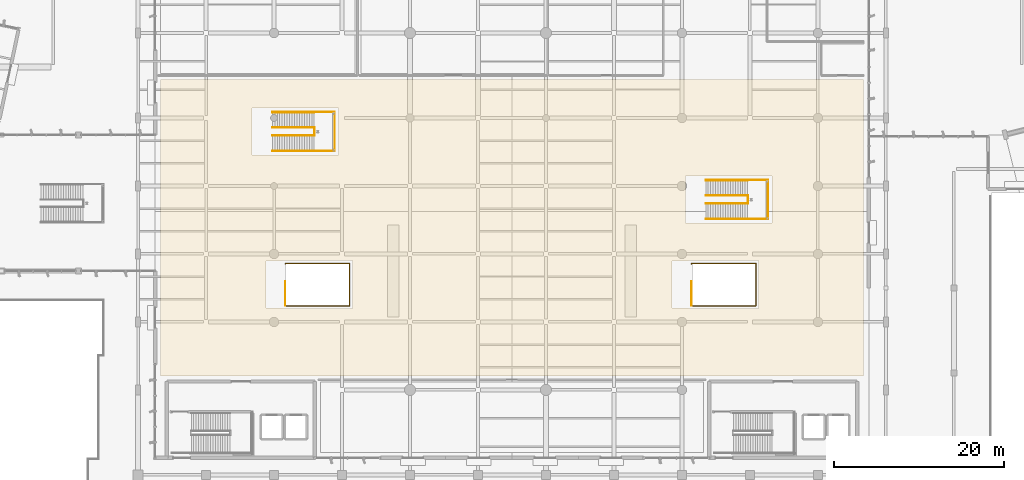
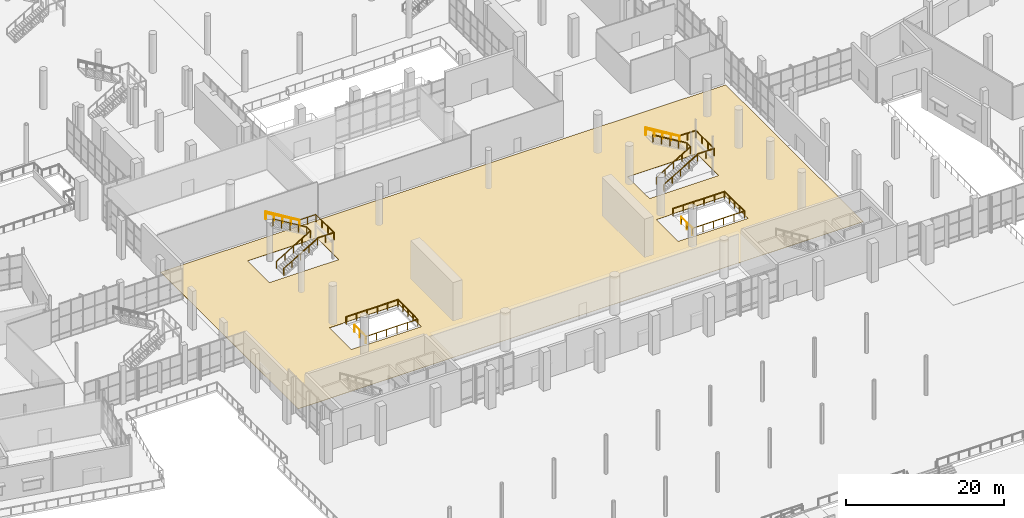
# One storey, part 152 of 163: 16 railings, 1 covering, 2 elements without a shape of their own.
"""IFC4 building model written with IfcOpenShell, lengths in metres."""

from ifc_helpers import new_model, si_unit, direction, frame, origin, origin_2d, place, context, subcontext, project, spatial, polyline, rectangle, outline, extrude, material, layer, layer_set, type_object, element, aggregate, save


model = new_model("IFC4")

# Units and contexts
model_context = context("Model", 3, precision=1e-05, world=origin(), true_north=direction((0.0, 1.0)))
body_context = subcontext(model_context, "Body", "Model", "MODEL_VIEW")
ifc_project = project(units=[si_unit("LENGTHUNIT", "METRE"), si_unit("AREAUNIT", "SQUARE_METRE"), si_unit("VOLUMEUNIT", "CUBIC_METRE"), si_unit("PLANEANGLEUNIT", "RADIAN"), si_unit("MASSUNIT", "GRAM", prefix="KILO")], contexts=[model_context])

# Site, building, storey
site_placement = place(None, origin())
site = spatial("IfcSite", under=ifc_project, at=site_placement, CompositionType="ELEMENT")
building_placement = place(site_placement, origin())
building = spatial("IfcBuilding", under=site, at=building_placement, Name="Khorjan Park Terminus", CompositionType="ELEMENT")
storey_placement = place(building_placement, origin())
storey = spatial("IfcBuildingStorey", under=building, at=storey_placement, Name="L00", CompositionType="ELEMENT", Elevation=0.0)

# Covering
ifc_material_1 = material(Name="Flamed Granite Transit Paving", Category="masonry")
ifc_layer = layer(ifc_material_1, 0.04)
ifc_layer_set = layer_set([ifc_layer], Name="Flamed Granite Transit Paving")
covering_type = type_object("IfcCoveringType", Name="CV-FLR-GRN", PredefinedType="FLOORING", material=ifc_layer_set)
covering_placement = place(storey_placement, origin())
element("IfcCovering", 1, at=covering_placement, inside=storey, type_object=covering_type, Name="Architectural floor finish FF-GRN (L00-HALL)", PredefinedType="FLOORING", context=body_context, shape_type="SweptSolid", body=[
    extrude(outline(polyline([(133.35, 72.55), (133.35, 37.65), (50.65, 37.65), (50.65, 72.55), (133.35, 72.55)]), holes=[polyline([(112.43, 55.63), (122.57, 55.63), (122.57, 61.17), (112.43, 61.17), (112.43, 55.63)]), polyline([(121.03, 45.57), (121.03, 51.23), (112.785, 51.23), (112.785, 51.17), (110.83, 51.17), (110.83, 45.63), (112.785, 45.63), (112.785, 45.57), (121.03, 45.57)]), polyline([(73.23, 45.57), (73.23, 51.23), (64.985, 51.23), (64.985, 51.17), (63.03, 51.17), (63.03, 45.63), (64.985, 45.63), (64.985, 45.57), (73.23, 45.57)]), polyline([(71.57, 63.63), (71.57, 69.17), (61.43, 69.17), (61.43, 63.63), (71.57, 63.63)])]), origin(), (0.0, 0.0, 1.0), 0.04),
])

# Railings
ifc_material_2 = material(Name="Steel S355", Category="steel")
railing_type_1 = type_object("IfcRailingType", Name="GR-112", PredefinedType="GUARDRAIL", material=ifc_material_2)
for number, where, name in (
    (2, (65.32, 45.95, 0.0), "Stair CS-01 top-floor well departure guard GR-112"),
    (3, (113.12, 45.95, 0.0), "Stair CS-02 top-floor well departure guard GR-112"),
):
    element("IfcRailing", number, at=place(storey_placement, frame(where)), inside=storey, type_object=railing_type_1, Name=name, PredefinedType="GUARDRAIL", context=body_context, shape_type="SweptSolid", body=[
        extrude(rectangle(XDim=0.048, YDim=0.048, at=origin_2d()), frame((0.0, 0.0, 1.096), z_axis=(0.0, 1.0, 0.0), x_axis=(-1.0, 0.0, 0.0)), (0.0, 0.0, 1.0), 2.83),
        extrude(rectangle(XDim=0.042, YDim=0.042, at=origin_2d()), origin(), (0.0, 0.0, 1.0), 1.072),
        extrude(rectangle(XDim=0.042, YDim=0.042, at=origin_2d()), frame((0.0, 1.415, 0.0)), (0.0, 0.0, 1.0), 1.072),
        extrude(rectangle(XDim=0.042, YDim=0.042, at=origin_2d()), frame((0.0, 2.83, 0.0)), (0.0, 0.0, 1.0), 1.072),
    ])

# Stair, railings
ifc_material_3 = material(Name="Concrete C40/50", Category="concrete")
stair_type = type_object("IfcStairType", Name="STR-PUB-190", PredefinedType="HALF_TURN_STAIR", material=ifc_material_3)
stair_1_placement = place(storey_placement, origin())
stair_1 = element("IfcStair", 4, at=stair_1_placement, inside=storey, type_object=stair_type, Name="Public passenger half-turn stair CS-03", PredefinedType="HALF_TURN_STAIR")
railing_1_placement = place(storey_placement, frame((63.8, 65.92, 0.0)))
railing_1 = element("IfcRailing", 5, at=railing_1_placement, type_object=railing_type_1, Name="Stair CS-03 inner well slot guard GR-112", PredefinedType="GUARDRAIL", context=body_context, shape_type="SweptSolid", body=[
    extrude(rectangle(XDim=0.048, YDim=0.048, at=origin_2d()), frame((0.0, 0.0, 1.096), z_axis=(0.856121964148, 0.0, 0.516773821418), x_axis=(0.0, 1.0, 0.0)), (0.0, 0.0, 1.0), 5.8052),
    extrude(rectangle(XDim=0.048, YDim=0.048, at=origin_2d()), frame((4.97, 0.0, 4.096), z_axis=(0.0, 1.0, 0.0), x_axis=(-1.0, 0.0, 0.0)), (0.0, 0.0, 1.0), 0.96),
    extrude(rectangle(XDim=0.048, YDim=0.048, at=origin_2d()), frame((4.97, 0.96, 4.096), z_axis=(-0.856121964148, 0.0, 0.516773821418), x_axis=(0.0, -1.0, 0.0)), (0.0, 0.0, 1.0), 5.8052),
    extrude(rectangle(XDim=0.042, YDim=0.042, at=origin_2d()), origin(), (0.0, 0.0, 1.0), 1.072),
    extrude(rectangle(XDim=0.042, YDim=0.042, at=origin_2d()), frame((1.2425, 0.0, 0.75)), (0.0, 0.0, 1.0), 1.072),
    extrude(rectangle(XDim=0.042, YDim=0.042, at=origin_2d()), frame((2.485, 0.0, 1.5)), (0.0, 0.0, 1.0), 1.072),
    extrude(rectangle(XDim=0.042, YDim=0.042, at=origin_2d()), frame((3.7275, 0.0, 2.25)), (0.0, 0.0, 1.0), 1.072),
    extrude(rectangle(XDim=0.042, YDim=0.042, at=origin_2d()), frame((4.97, 0.0, 3.0)), (0.0, 0.0, 1.0), 1.072),
    extrude(rectangle(XDim=0.042, YDim=0.042, at=origin_2d()), frame((4.97, 0.96, 3.0)), (0.0, 0.0, 1.0), 1.072),
    extrude(rectangle(XDim=0.042, YDim=0.042, at=origin_2d()), frame((3.7275, 0.96, 3.75)), (0.0, 0.0, 1.0), 1.072),
    extrude(rectangle(XDim=0.042, YDim=0.042, at=origin_2d()), frame((2.485, 0.96, 4.5)), (0.0, 0.0, 1.0), 1.072),
    extrude(rectangle(XDim=0.042, YDim=0.042, at=origin_2d()), frame((1.2425, 0.96, 5.25)), (0.0, 0.0, 1.0), 1.072),
    extrude(rectangle(XDim=0.042, YDim=0.042, at=origin_2d()), frame((0.0, 0.96, 6.0)), (0.0, 0.0, 1.0), 1.072),
])
railing_2_placement = place(storey_placement, frame((68.73, 64.1, 3.0)))
railing_2 = element("IfcRailing", 6, at=railing_2_placement, type_object=railing_type_1, Name="Stair CS-03 horizontal half-landing guard GR-112", PredefinedType="GUARDRAIL", context=body_context, shape_type="SweptSolid", body=[
    extrude(rectangle(XDim=0.048, YDim=0.048, at=origin_2d()), frame((0.0, 0.0, 1.096), z_axis=(1.0, 0.0, 0.0), x_axis=(0.0, 1.0, 0.0)), (0.0, 0.0, 1.0), 2.41),
    extrude(rectangle(XDim=0.048, YDim=0.048, at=origin_2d()), frame((2.41, 0.0, 1.096), z_axis=(0.0, 1.0, 0.0), x_axis=(-1.0, 0.0, 0.0)), (0.0, 0.0, 1.0), 4.6),
    extrude(rectangle(XDim=0.048, YDim=0.048, at=origin_2d()), frame((2.41, 4.6, 1.096), z_axis=(-1.0, 0.0, 0.0), x_axis=(0.0, -1.0, 0.0)), (0.0, 0.0, 1.0), 2.41),
    extrude(rectangle(XDim=0.042, YDim=0.042, at=origin_2d()), origin(), (0.0, 0.0, 1.0), 1.072),
    extrude(rectangle(XDim=0.042, YDim=0.042, at=origin_2d()), frame((1.205, 0.0, 0.0)), (0.0, 0.0, 1.0), 1.072),
    extrude(rectangle(XDim=0.042, YDim=0.042, at=origin_2d()), frame((2.41, 0.0, 0.0)), (0.0, 0.0, 1.0), 1.072),
    extrude(rectangle(XDim=0.042, YDim=0.042, at=origin_2d()), frame((2.41, 1.5333, 0.0)), (0.0, 0.0, 1.0), 1.072),
    extrude(rectangle(XDim=0.042, YDim=0.042, at=origin_2d()), frame((2.41, 3.0667, 0.0)), (0.0, 0.0, 1.0), 1.072),
    extrude(rectangle(XDim=0.042, YDim=0.042, at=origin_2d()), frame((2.41, 4.6, 0.0)), (0.0, 0.0, 1.0), 1.072),
    extrude(rectangle(XDim=0.042, YDim=0.042, at=origin_2d()), frame((1.205, 4.6, 0.0)), (0.0, 0.0, 1.0), 1.072),
    extrude(rectangle(XDim=0.042, YDim=0.042, at=origin_2d()), frame((0.0, 4.6, 0.0)), (0.0, 0.0, 1.0), 1.072),
])
railing_3_placement = place(storey_placement, frame((63.8, 64.1, 0.0)))
railing_3 = element("IfcRailing", 7, at=railing_3_placement, type_object=railing_type_1, Name="Stair CS-03 lower outer flight guard GR-112", PredefinedType="GUARDRAIL", context=body_context, shape_type="SweptSolid", body=[
    extrude(rectangle(XDim=0.048, YDim=0.048, at=origin_2d()), frame((0.0, 0.0, 1.096), z_axis=(0.854265470084, 0.0, 0.519837000051), x_axis=(0.0, 1.0, 0.0)), (0.0, 0.0, 1.0), 5.771),
    extrude(rectangle(XDim=0.042, YDim=0.042, at=origin_2d()), origin(), (0.0, 0.0, 1.0), 1.072),
    extrude(rectangle(XDim=0.042, YDim=0.042, at=origin_2d()), frame((1.2325, 0.0, 0.75)), (0.0, 0.0, 1.0), 1.072),
    extrude(rectangle(XDim=0.042, YDim=0.042, at=origin_2d()), frame((2.465, 0.0, 1.5)), (0.0, 0.0, 1.0), 1.072),
    extrude(rectangle(XDim=0.042, YDim=0.042, at=origin_2d()), frame((3.6975, 0.0, 2.25)), (0.0, 0.0, 1.0), 1.072),
    extrude(rectangle(XDim=0.042, YDim=0.042, at=origin_2d()), frame((4.93, 0.0, 3.0)), (0.0, 0.0, 1.0), 1.072),
])
railing_4_placement = place(storey_placement, frame((68.73, 68.7, 3.0)))
railing_4 = element("IfcRailing", 8, at=railing_4_placement, type_object=railing_type_1, Name="Stair CS-03 upper outer flight guard GR-112", PredefinedType="GUARDRAIL", context=body_context, shape_type="SweptSolid", body=[
    extrude(rectangle(XDim=0.048, YDim=0.048, at=origin_2d()), frame((0.0, 0.0, 1.096), z_axis=(-0.854265470084, 0.0, 0.519837000051), x_axis=(0.0, -1.0, 0.0)), (0.0, 0.0, 1.0), 5.771),
    extrude(rectangle(XDim=0.042, YDim=0.042, at=origin_2d()), origin(), (0.0, 0.0, 1.0), 1.072),
    extrude(rectangle(XDim=0.042, YDim=0.042, at=origin_2d()), frame((-1.2325, 0.0, 0.75)), (0.0, 0.0, 1.0), 1.072),
    extrude(rectangle(XDim=0.042, YDim=0.042, at=origin_2d()), frame((-2.465, 0.0, 1.5)), (0.0, 0.0, 1.0), 1.072),
    extrude(rectangle(XDim=0.042, YDim=0.042, at=origin_2d()), frame((-3.6975, 0.0, 2.25)), (0.0, 0.0, 1.0), 1.072),
    extrude(rectangle(XDim=0.042, YDim=0.042, at=origin_2d()), frame((-4.93, 0.0, 3.0)), (0.0, 0.0, 1.0), 1.072),
])

stair_2_placement = place(storey_placement, origin())
stair_2 = element("IfcStair", 9, at=stair_2_placement, inside=storey, type_object=stair_type, Name="Public passenger half-turn stair CS-04", PredefinedType="HALF_TURN_STAIR")
railing_5_placement = place(storey_placement, frame((114.8, 57.92, 0.0)))
railing_5 = element("IfcRailing", 10, at=railing_5_placement, type_object=railing_type_1, Name="Stair CS-04 inner well slot guard GR-112", PredefinedType="GUARDRAIL", context=body_context, shape_type="SweptSolid", body=[
    extrude(rectangle(XDim=0.048, YDim=0.048, at=origin_2d()), frame((0.0, 0.0, 1.096), z_axis=(0.856121964148, 0.0, 0.516773821418), x_axis=(0.0, 1.0, 0.0)), (0.0, 0.0, 1.0), 5.8052),
    extrude(rectangle(XDim=0.048, YDim=0.048, at=origin_2d()), frame((4.97, 0.0, 4.096), z_axis=(0.0, 1.0, 0.0), x_axis=(-1.0, 0.0, 0.0)), (0.0, 0.0, 1.0), 0.96),
    extrude(rectangle(XDim=0.048, YDim=0.048, at=origin_2d()), frame((4.97, 0.96, 4.096), z_axis=(-0.856121964148, 0.0, 0.516773821418), x_axis=(0.0, -1.0, 0.0)), (0.0, 0.0, 1.0), 5.8052),
    extrude(rectangle(XDim=0.042, YDim=0.042, at=origin_2d()), origin(), (0.0, 0.0, 1.0), 1.072),
    extrude(rectangle(XDim=0.042, YDim=0.042, at=origin_2d()), frame((1.2425, 0.0, 0.75)), (0.0, 0.0, 1.0), 1.072),
    extrude(rectangle(XDim=0.042, YDim=0.042, at=origin_2d()), frame((2.485, 0.0, 1.5)), (0.0, 0.0, 1.0), 1.072),
    extrude(rectangle(XDim=0.042, YDim=0.042, at=origin_2d()), frame((3.7275, 0.0, 2.25)), (0.0, 0.0, 1.0), 1.072),
    extrude(rectangle(XDim=0.042, YDim=0.042, at=origin_2d()), frame((4.97, 0.0, 3.0)), (0.0, 0.0, 1.0), 1.072),
    extrude(rectangle(XDim=0.042, YDim=0.042, at=origin_2d()), frame((4.97, 0.96, 3.0)), (0.0, 0.0, 1.0), 1.072),
    extrude(rectangle(XDim=0.042, YDim=0.042, at=origin_2d()), frame((3.7275, 0.96, 3.75)), (0.0, 0.0, 1.0), 1.072),
    extrude(rectangle(XDim=0.042, YDim=0.042, at=origin_2d()), frame((2.485, 0.96, 4.5)), (0.0, 0.0, 1.0), 1.072),
    extrude(rectangle(XDim=0.042, YDim=0.042, at=origin_2d()), frame((1.2425, 0.96, 5.25)), (0.0, 0.0, 1.0), 1.072),
    extrude(rectangle(XDim=0.042, YDim=0.042, at=origin_2d()), frame((0.0, 0.96, 6.0)), (0.0, 0.0, 1.0), 1.072),
])
railing_6_placement = place(storey_placement, frame((119.73, 56.1, 3.0)))
railing_6 = element("IfcRailing", 11, at=railing_6_placement, type_object=railing_type_1, Name="Stair CS-04 horizontal half-landing guard GR-112", PredefinedType="GUARDRAIL", context=body_context, shape_type="SweptSolid", body=[
    extrude(rectangle(XDim=0.048, YDim=0.048, at=origin_2d()), frame((0.0, 0.0, 1.096), z_axis=(1.0, 0.0, 0.0), x_axis=(0.0, 1.0, 0.0)), (0.0, 0.0, 1.0), 2.41),
    extrude(rectangle(XDim=0.048, YDim=0.048, at=origin_2d()), frame((2.41, 0.0, 1.096), z_axis=(0.0, 1.0, 0.0), x_axis=(-1.0, 0.0, 0.0)), (0.0, 0.0, 1.0), 4.6),
    extrude(rectangle(XDim=0.048, YDim=0.048, at=origin_2d()), frame((2.41, 4.6, 1.096), z_axis=(-1.0, 0.0, 0.0), x_axis=(0.0, -1.0, 0.0)), (0.0, 0.0, 1.0), 2.41),
    extrude(rectangle(XDim=0.042, YDim=0.042, at=origin_2d()), origin(), (0.0, 0.0, 1.0), 1.072),
    extrude(rectangle(XDim=0.042, YDim=0.042, at=origin_2d()), frame((1.205, 0.0, 0.0)), (0.0, 0.0, 1.0), 1.072),
    extrude(rectangle(XDim=0.042, YDim=0.042, at=origin_2d()), frame((2.41, 0.0, 0.0)), (0.0, 0.0, 1.0), 1.072),
    extrude(rectangle(XDim=0.042, YDim=0.042, at=origin_2d()), frame((2.41, 1.5333, 0.0)), (0.0, 0.0, 1.0), 1.072),
    extrude(rectangle(XDim=0.042, YDim=0.042, at=origin_2d()), frame((2.41, 3.0667, 0.0)), (0.0, 0.0, 1.0), 1.072),
    extrude(rectangle(XDim=0.042, YDim=0.042, at=origin_2d()), frame((2.41, 4.6, 0.0)), (0.0, 0.0, 1.0), 1.072),
    extrude(rectangle(XDim=0.042, YDim=0.042, at=origin_2d()), frame((1.205, 4.6, 0.0)), (0.0, 0.0, 1.0), 1.072),
    extrude(rectangle(XDim=0.042, YDim=0.042, at=origin_2d()), frame((0.0, 4.6, 0.0)), (0.0, 0.0, 1.0), 1.072),
])
railing_7_placement = place(storey_placement, frame((114.8, 56.1, 0.0)))
railing_7 = element("IfcRailing", 12, at=railing_7_placement, type_object=railing_type_1, Name="Stair CS-04 lower outer flight guard GR-112", PredefinedType="GUARDRAIL", context=body_context, shape_type="SweptSolid", body=[
    extrude(rectangle(XDim=0.048, YDim=0.048, at=origin_2d()), frame((0.0, 0.0, 1.096), z_axis=(0.854265470084, 0.0, 0.519837000051), x_axis=(0.0, 1.0, 0.0)), (0.0, 0.0, 1.0), 5.771),
    extrude(rectangle(XDim=0.042, YDim=0.042, at=origin_2d()), origin(), (0.0, 0.0, 1.0), 1.072),
    extrude(rectangle(XDim=0.042, YDim=0.042, at=origin_2d()), frame((1.2325, 0.0, 0.75)), (0.0, 0.0, 1.0), 1.072),
    extrude(rectangle(XDim=0.042, YDim=0.042, at=origin_2d()), frame((2.465, 0.0, 1.5)), (0.0, 0.0, 1.0), 1.072),
    extrude(rectangle(XDim=0.042, YDim=0.042, at=origin_2d()), frame((3.6975, 0.0, 2.25)), (0.0, 0.0, 1.0), 1.072),
    extrude(rectangle(XDim=0.042, YDim=0.042, at=origin_2d()), frame((4.93, 0.0, 3.0)), (0.0, 0.0, 1.0), 1.072),
])
railing_8_placement = place(storey_placement, frame((119.73, 60.7, 3.0)))
railing_8 = element("IfcRailing", 13, at=railing_8_placement, type_object=railing_type_1, Name="Stair CS-04 upper outer flight guard GR-112", PredefinedType="GUARDRAIL", context=body_context, shape_type="SweptSolid", body=[
    extrude(rectangle(XDim=0.048, YDim=0.048, at=origin_2d()), frame((0.0, 0.0, 1.096), z_axis=(-0.854265470084, 0.0, 0.519837000051), x_axis=(0.0, -1.0, 0.0)), (0.0, 0.0, 1.0), 5.771),
    extrude(rectangle(XDim=0.042, YDim=0.042, at=origin_2d()), origin(), (0.0, 0.0, 1.0), 1.072),
    extrude(rectangle(XDim=0.042, YDim=0.042, at=origin_2d()), frame((-1.2325, 0.0, 0.75)), (0.0, 0.0, 1.0), 1.072),
    extrude(rectangle(XDim=0.042, YDim=0.042, at=origin_2d()), frame((-2.465, 0.0, 1.5)), (0.0, 0.0, 1.0), 1.072),
    extrude(rectangle(XDim=0.042, YDim=0.042, at=origin_2d()), frame((-3.6975, 0.0, 2.25)), (0.0, 0.0, 1.0), 1.072),
    extrude(rectangle(XDim=0.042, YDim=0.042, at=origin_2d()), frame((-4.93, 0.0, 3.0)), (0.0, 0.0, 1.0), 1.072),
])

# Railings
ifc_material_4 = material(Name="Anodized Bronze Aluminium & Laminated Glass", Category="aluminium")
railing_type_2 = type_object("IfcRailingType", Name="GR-BAL", PredefinedType="BALUSTRADE", material=ifc_material_4)
railing_9_placement = place(storey_placement, frame((113.115, 48.74, 0.0)))
element("IfcRailing", 14, at=railing_9_placement, inside=storey, type_object=railing_type_2, Name="Perimeter safety guard GB-112 (L00-12)", PredefinedType="BALUSTRADE", context=body_context, shape_type="SweptSolid", body=[
    extrude(rectangle(XDim=0.048, YDim=0.048, at=origin_2d()), frame((0.0, 0.0, 1.096), z_axis=(0.0, -1.0, 0.0), x_axis=(1.0, 0.0, 0.0)), (0.0, 0.0, 1.0), 2.84),
    extrude(rectangle(XDim=0.048, YDim=0.048, at=origin_2d()), frame((0.0, -2.84, 1.096), z_axis=(1.0, 0.0, 0.0), x_axis=(0.0, 1.0, 0.0)), (0.0, 0.0, 1.0), 7.585),
    extrude(rectangle(XDim=0.048, YDim=0.048, at=origin_2d()), frame((7.585, -2.84, 1.096), z_axis=(0.0, 1.0, 0.0), x_axis=(-1.0, 0.0, 0.0)), (0.0, 0.0, 1.0), 5.0),
    extrude(rectangle(XDim=0.048, YDim=0.048, at=origin_2d()), frame((7.585, 2.16, 1.096), z_axis=(-1.0, 0.0, 0.0), x_axis=(0.0, -1.0, 0.0)), (0.0, 0.0, 1.0), 7.585),
    extrude(rectangle(XDim=0.048, YDim=0.048, at=origin_2d()), frame((0.0, 2.16, 1.096), z_axis=(0.0, -1.0, 0.0), x_axis=(1.0, 0.0, 0.0)), (0.0, 0.0, 1.0), 0.1),
    extrude(rectangle(XDim=0.042, YDim=0.042, at=origin_2d()), origin(), (0.0, 0.0, 1.0), 1.072),
    extrude(rectangle(XDim=0.042, YDim=0.042, at=origin_2d()), frame((0.0, -1.42, 0.0)), (0.0, 0.0, 1.0), 1.072),
    extrude(rectangle(XDim=0.042, YDim=0.042, at=origin_2d()), frame((0.0, -2.84, 0.0)), (0.0, 0.0, 1.0), 1.072),
    extrude(rectangle(XDim=0.042, YDim=0.042, at=origin_2d()), frame((1.517, -2.84, 0.0)), (0.0, 0.0, 1.0), 1.072),
    extrude(rectangle(XDim=0.042, YDim=0.042, at=origin_2d()), frame((3.034, -2.84, 0.0)), (0.0, 0.0, 1.0), 1.072),
    extrude(rectangle(XDim=0.042, YDim=0.042, at=origin_2d()), frame((4.551, -2.84, 0.0)), (0.0, 0.0, 1.0), 1.072),
    extrude(rectangle(XDim=0.042, YDim=0.042, at=origin_2d()), frame((6.068, -2.84, 0.0)), (0.0, 0.0, 1.0), 1.072),
    extrude(rectangle(XDim=0.042, YDim=0.042, at=origin_2d()), frame((7.585, -2.84, 0.0)), (0.0, 0.0, 1.0), 1.072),
    extrude(rectangle(XDim=0.042, YDim=0.042, at=origin_2d()), frame((7.585, -1.59, 0.0)), (0.0, 0.0, 1.0), 1.072),
    extrude(rectangle(XDim=0.042, YDim=0.042, at=origin_2d()), frame((7.585, -0.34, 0.0)), (0.0, 0.0, 1.0), 1.072),
    extrude(rectangle(XDim=0.042, YDim=0.042, at=origin_2d()), frame((7.585, 0.91, 0.0)), (0.0, 0.0, 1.0), 1.072),
    extrude(rectangle(XDim=0.042, YDim=0.042, at=origin_2d()), frame((7.585, 2.16, 0.0)), (0.0, 0.0, 1.0), 1.072),
    extrude(rectangle(XDim=0.042, YDim=0.042, at=origin_2d()), frame((6.068, 2.16, 0.0)), (0.0, 0.0, 1.0), 1.072),
    extrude(rectangle(XDim=0.042, YDim=0.042, at=origin_2d()), frame((4.551, 2.16, 0.0)), (0.0, 0.0, 1.0), 1.072),
    extrude(rectangle(XDim=0.042, YDim=0.042, at=origin_2d()), frame((3.034, 2.16, 0.0)), (0.0, 0.0, 1.0), 1.072),
    extrude(rectangle(XDim=0.042, YDim=0.042, at=origin_2d()), frame((1.517, 2.16, 0.0)), (0.0, 0.0, 1.0), 1.072),
    extrude(rectangle(XDim=0.042, YDim=0.042, at=origin_2d()), frame((0.0, 2.16, 0.0)), (0.0, 0.0, 1.0), 1.072),
    extrude(rectangle(XDim=0.042, YDim=0.042, at=origin_2d()), frame((0.0, 2.06, 0.0)), (0.0, 0.0, 1.0), 1.072),
])
railing_10_placement = place(storey_placement, frame((65.315, 48.74, 0.0)))
element("IfcRailing", 15, at=railing_10_placement, inside=storey, type_object=railing_type_2, Name="Perimeter safety guard GB-112 (L00-14)", PredefinedType="BALUSTRADE", context=body_context, shape_type="SweptSolid", body=[
    extrude(rectangle(XDim=0.048, YDim=0.048, at=origin_2d()), frame((0.0, 0.0, 1.096), z_axis=(0.0, -1.0, 0.0), x_axis=(1.0, 0.0, 0.0)), (0.0, 0.0, 1.0), 2.84),
    extrude(rectangle(XDim=0.048, YDim=0.048, at=origin_2d()), frame((0.0, -2.84, 1.096), z_axis=(1.0, 0.0, 0.0), x_axis=(0.0, 1.0, 0.0)), (0.0, 0.0, 1.0), 7.585),
    extrude(rectangle(XDim=0.048, YDim=0.048, at=origin_2d()), frame((7.585, -2.84, 1.096), z_axis=(0.0, 1.0, 0.0), x_axis=(-1.0, 0.0, 0.0)), (0.0, 0.0, 1.0), 5.0),
    extrude(rectangle(XDim=0.048, YDim=0.048, at=origin_2d()), frame((7.585, 2.16, 1.096), z_axis=(-1.0, 0.0, 0.0), x_axis=(0.0, -1.0, 0.0)), (0.0, 0.0, 1.0), 7.585),
    extrude(rectangle(XDim=0.048, YDim=0.048, at=origin_2d()), frame((0.0, 2.16, 1.096), z_axis=(0.0, -1.0, 0.0), x_axis=(1.0, 0.0, 0.0)), (0.0, 0.0, 1.0), 0.1),
    extrude(rectangle(XDim=0.042, YDim=0.042, at=origin_2d()), origin(), (0.0, 0.0, 1.0), 1.072),
    extrude(rectangle(XDim=0.042, YDim=0.042, at=origin_2d()), frame((0.0, -1.42, 0.0)), (0.0, 0.0, 1.0), 1.072),
    extrude(rectangle(XDim=0.042, YDim=0.042, at=origin_2d()), frame((0.0, -2.84, 0.0)), (0.0, 0.0, 1.0), 1.072),
    extrude(rectangle(XDim=0.042, YDim=0.042, at=origin_2d()), frame((1.517, -2.84, 0.0)), (0.0, 0.0, 1.0), 1.072),
    extrude(rectangle(XDim=0.042, YDim=0.042, at=origin_2d()), frame((3.034, -2.84, 0.0)), (0.0, 0.0, 1.0), 1.072),
    extrude(rectangle(XDim=0.042, YDim=0.042, at=origin_2d()), frame((4.551, -2.84, 0.0)), (0.0, 0.0, 1.0), 1.072),
    extrude(rectangle(XDim=0.042, YDim=0.042, at=origin_2d()), frame((6.068, -2.84, 0.0)), (0.0, 0.0, 1.0), 1.072),
    extrude(rectangle(XDim=0.042, YDim=0.042, at=origin_2d()), frame((7.585, -2.84, 0.0)), (0.0, 0.0, 1.0), 1.072),
    extrude(rectangle(XDim=0.042, YDim=0.042, at=origin_2d()), frame((7.585, -1.59, 0.0)), (0.0, 0.0, 1.0), 1.072),
    extrude(rectangle(XDim=0.042, YDim=0.042, at=origin_2d()), frame((7.585, -0.34, 0.0)), (0.0, 0.0, 1.0), 1.072),
    extrude(rectangle(XDim=0.042, YDim=0.042, at=origin_2d()), frame((7.585, 0.91, 0.0)), (0.0, 0.0, 1.0), 1.072),
    extrude(rectangle(XDim=0.042, YDim=0.042, at=origin_2d()), frame((7.585, 2.16, 0.0)), (0.0, 0.0, 1.0), 1.072),
    extrude(rectangle(XDim=0.042, YDim=0.042, at=origin_2d()), frame((6.068, 2.16, 0.0)), (0.0, 0.0, 1.0), 1.072),
    extrude(rectangle(XDim=0.042, YDim=0.042, at=origin_2d()), frame((4.551, 2.16, 0.0)), (0.0, 0.0, 1.0), 1.072),
    extrude(rectangle(XDim=0.042, YDim=0.042, at=origin_2d()), frame((3.034, 2.16, 0.0)), (0.0, 0.0, 1.0), 1.072),
    extrude(rectangle(XDim=0.042, YDim=0.042, at=origin_2d()), frame((1.517, 2.16, 0.0)), (0.0, 0.0, 1.0), 1.072),
    extrude(rectangle(XDim=0.042, YDim=0.042, at=origin_2d()), frame((0.0, 2.16, 0.0)), (0.0, 0.0, 1.0), 1.072),
    extrude(rectangle(XDim=0.042, YDim=0.042, at=origin_2d()), frame((0.0, 2.06, 0.0)), (0.0, 0.0, 1.0), 1.072),
])

# Railing
railing_type_3 = type_object("IfcRailingType", Name="HR-92", PredefinedType="HANDRAIL", material=ifc_material_2)
railing_11_placement = place(storey_placement, frame((63.8, 64.14, 0.1667)))
railing_11 = element("IfcRailing", 16, at=railing_11_placement, type_object=railing_type_3, Name="Stair CS-03 lower handrail HR-92", PredefinedType="HANDRAIL", context=body_context, shape_type="SweptSolid", body=[
    extrude(rectangle(XDim=0.048, YDim=0.048, at=origin_2d()), frame((0.0, 0.0, 0.896), z_axis=(0.867016476548, 0.0, 0.498279469169), x_axis=(0.0, 1.0, 0.0)), (0.0, 0.0, 1.0), 5.6862),
    extrude(rectangle(XDim=0.042, YDim=0.042, at=origin_2d()), origin(), (0.0, 0.0, 1.0), 0.872),
    extrude(rectangle(XDim=0.042, YDim=0.042, at=origin_2d()), frame((1.2325, 0.0, 0.7083)), (0.0, 0.0, 1.0), 0.872),
    extrude(rectangle(XDim=0.042, YDim=0.042, at=origin_2d()), frame((2.465, 0.0, 1.4166)), (0.0, 0.0, 1.0), 0.872),
    extrude(rectangle(XDim=0.042, YDim=0.042, at=origin_2d()), frame((3.6975, 0.0, 2.125)), (0.0, 0.0, 1.0), 0.872),
    extrude(rectangle(XDim=0.042, YDim=0.042, at=origin_2d()), frame((4.93, 0.0, 2.8333)), (0.0, 0.0, 1.0), 0.872),
])

railing_12_placement = place(storey_placement, frame((68.73, 68.66, 3.1667)))
railing_12 = element("IfcRailing", 17, at=railing_12_placement, type_object=railing_type_3, Name="Stair CS-03 upper handrail HR-92", PredefinedType="HANDRAIL", context=body_context, shape_type="SweptSolid", body=[
    extrude(rectangle(XDim=0.048, YDim=0.048, at=origin_2d()), frame((0.0, 0.0, 0.896), z_axis=(-0.867016476548, 0.0, 0.498279469169), x_axis=(0.0, -1.0, 0.0)), (0.0, 0.0, 1.0), 5.6862),
    extrude(rectangle(XDim=0.042, YDim=0.042, at=origin_2d()), origin(), (0.0, 0.0, 1.0), 0.872),
    extrude(rectangle(XDim=0.042, YDim=0.042, at=origin_2d()), frame((-1.2325, 0.0, 0.7083)), (0.0, 0.0, 1.0), 0.872),
    extrude(rectangle(XDim=0.042, YDim=0.042, at=origin_2d()), frame((-2.465, 0.0, 1.4166)), (0.0, 0.0, 1.0), 0.872),
    extrude(rectangle(XDim=0.042, YDim=0.042, at=origin_2d()), frame((-3.6975, 0.0, 2.125)), (0.0, 0.0, 1.0), 0.872),
    extrude(rectangle(XDim=0.042, YDim=0.042, at=origin_2d()), frame((-4.93, 0.0, 2.8333)), (0.0, 0.0, 1.0), 0.872),
])

aggregate(stair_1, [railing_11, railing_12, railing_1, railing_2, railing_3, railing_4])

railing_13_placement = place(storey_placement, frame((114.8, 56.14, 0.1667)))
railing_13 = element("IfcRailing", 18, at=railing_13_placement, type_object=railing_type_3, Name="Stair CS-04 lower handrail HR-92", PredefinedType="HANDRAIL", context=body_context, shape_type="SweptSolid", body=[
    extrude(rectangle(XDim=0.048, YDim=0.048, at=origin_2d()), frame((0.0, 0.0, 0.896), z_axis=(0.867016476548, 0.0, 0.498279469169), x_axis=(0.0, 1.0, 0.0)), (0.0, 0.0, 1.0), 5.6862),
    extrude(rectangle(XDim=0.042, YDim=0.042, at=origin_2d()), origin(), (0.0, 0.0, 1.0), 0.872),
    extrude(rectangle(XDim=0.042, YDim=0.042, at=origin_2d()), frame((1.2325, 0.0, 0.7083)), (0.0, 0.0, 1.0), 0.872),
    extrude(rectangle(XDim=0.042, YDim=0.042, at=origin_2d()), frame((2.465, 0.0, 1.4166)), (0.0, 0.0, 1.0), 0.872),
    extrude(rectangle(XDim=0.042, YDim=0.042, at=origin_2d()), frame((3.6975, 0.0, 2.125)), (0.0, 0.0, 1.0), 0.872),
    extrude(rectangle(XDim=0.042, YDim=0.042, at=origin_2d()), frame((4.93, 0.0, 2.8333)), (0.0, 0.0, 1.0), 0.872),
])

railing_14_placement = place(storey_placement, frame((119.73, 60.66, 3.1667)))
railing_14 = element("IfcRailing", 19, at=railing_14_placement, type_object=railing_type_3, Name="Stair CS-04 upper handrail HR-92", PredefinedType="HANDRAIL", context=body_context, shape_type="SweptSolid", body=[
    extrude(rectangle(XDim=0.048, YDim=0.048, at=origin_2d()), frame((0.0, 0.0, 0.896), z_axis=(-0.867016476548, 0.0, 0.498279469169), x_axis=(0.0, -1.0, 0.0)), (0.0, 0.0, 1.0), 5.6862),
    extrude(rectangle(XDim=0.042, YDim=0.042, at=origin_2d()), origin(), (0.0, 0.0, 1.0), 0.872),
    extrude(rectangle(XDim=0.042, YDim=0.042, at=origin_2d()), frame((-1.2325, 0.0, 0.7083)), (0.0, 0.0, 1.0), 0.872),
    extrude(rectangle(XDim=0.042, YDim=0.042, at=origin_2d()), frame((-2.465, 0.0, 1.4166)), (0.0, 0.0, 1.0), 0.872),
    extrude(rectangle(XDim=0.042, YDim=0.042, at=origin_2d()), frame((-3.6975, 0.0, 2.125)), (0.0, 0.0, 1.0), 0.872),
    extrude(rectangle(XDim=0.042, YDim=0.042, at=origin_2d()), frame((-4.93, 0.0, 2.8333)), (0.0, 0.0, 1.0), 0.872),
])

aggregate(stair_2, [railing_13, railing_14, railing_5, railing_6, railing_7, railing_8])

save(model, "model.ifc")
